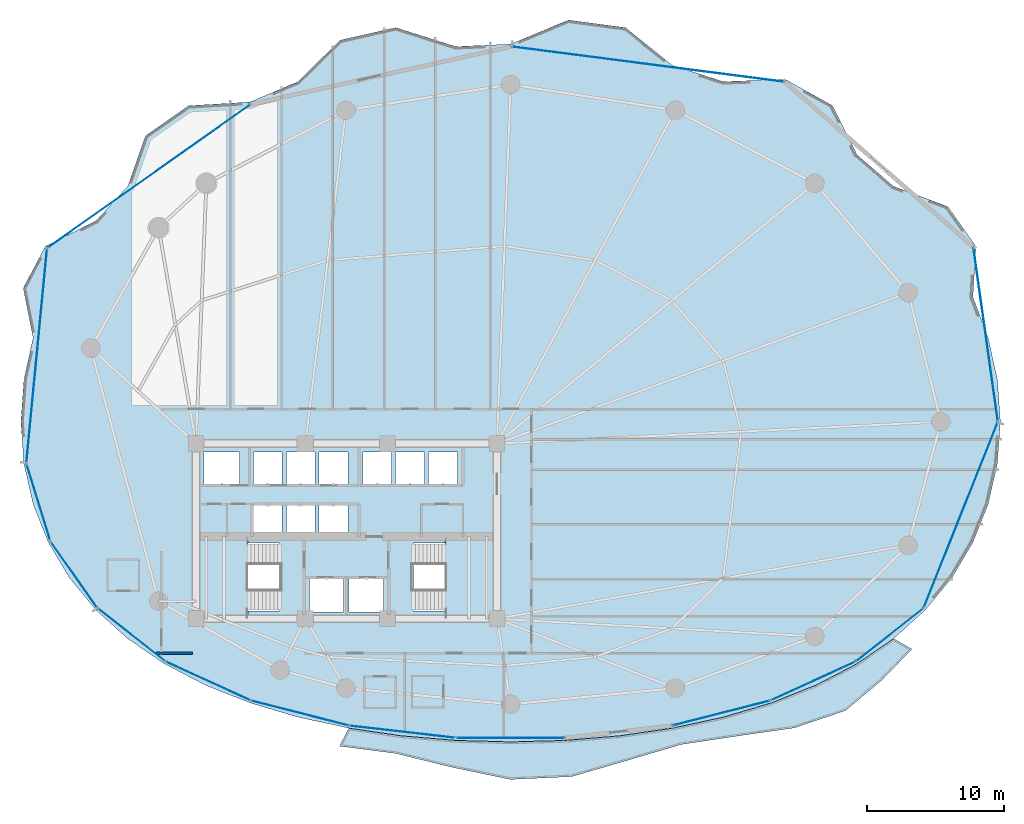
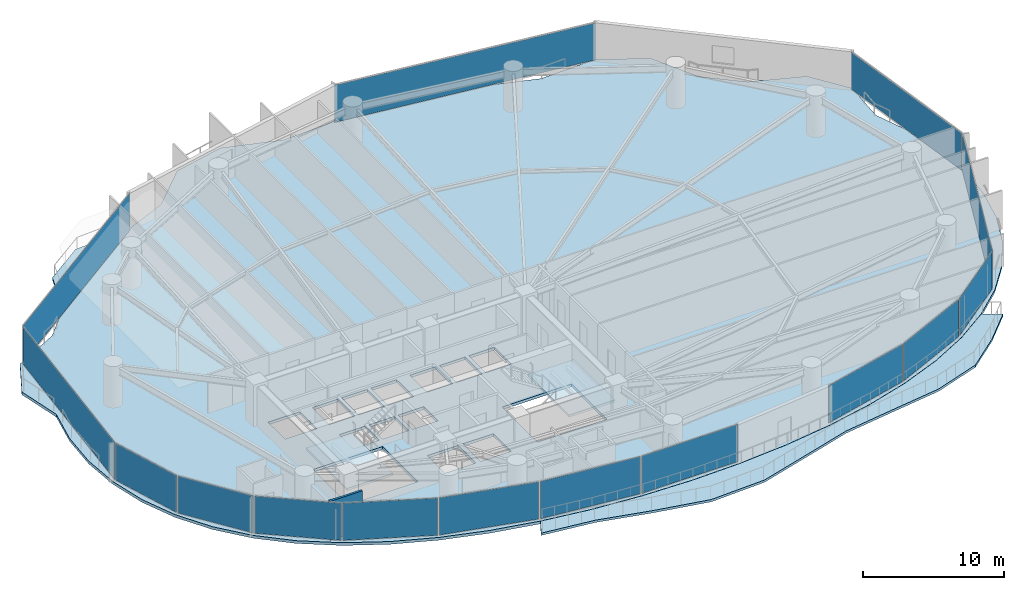
# One storey, part 24 of 32: 15 plates, 4 slabs, 1 wall, 17 elements without a shape of their own.
"""IFC4 building model written with IfcOpenShell, lengths in metres."""

from ifc_helpers import new_model, si_unit, direction, frame, frame_2d, origin, origin_2d, place, context, subcontext, project, spatial, polyline, rectangle, outline, extrude, material, layer, layer_set, type_object, element, aggregate, save


model = new_model("IFC4")

# Units and contexts
model_context = context("Model", 3, precision=1e-05, world=origin(), true_north=direction((0.0, 1.0)))
body_context = subcontext(model_context, "Body", "Model", "MODEL_VIEW")
ifc_project = project(units=[si_unit("LENGTHUNIT", "METRE"), si_unit("AREAUNIT", "SQUARE_METRE"), si_unit("VOLUMEUNIT", "CUBIC_METRE"), si_unit("PLANEANGLEUNIT", "RADIAN"), si_unit("MASSUNIT", "GRAM", prefix="KILO")], contexts=[model_context])

# Site, building, storey
site_placement = place(None, origin())
site = spatial("IfcSite", under=ifc_project, at=site_placement, CompositionType="ELEMENT")
building_placement = place(site_placement, origin())
building = spatial("IfcBuilding", under=site, at=building_placement, Name="Kazevale Care Tower and Concert Hall", CompositionType="ELEMENT")
storey_placement = place(building_placement, frame((0.0, 0.0, 34.800048828125)))
storey = spatial("IfcBuildingStorey", under=building, at=storey_placement, Name="L08", CompositionType="ELEMENT", Elevation=34.800048828125)

# Curtain wall, plate
ifc_material_1 = material(Name="Aluminium 6063-T6 and Low-E Glass", Category="aluminium")
ifc_layer_1 = layer(ifc_material_1, 0.179931640625)
ifc_layer_set_1 = layer_set([ifc_layer_1], Name="Aluminium 6063-T6 and Low-E Glass")
curtain_wall_type_1 = type_object("IfcCurtainWallType", Name="Convex Recessed Sunroom Curtain Wall CW-3", PredefinedType="NOTDEFINED", material=ifc_layer_set_1)
curtain_wall_1_placement = place(storey_placement, origin())
curtain_wall_1 = element("IfcCurtainWall", 1, at=curtain_wall_1_placement, inside=storey, type_object=curtain_wall_type_1, Name="cw:L08:f14", PredefinedType="NOTDEFINED")
ifc_material_2 = material(Name="Low-E Laminated Glass", Category="glass")
ifc_layer_2 = layer(ifc_material_2, 0.028076171875)
ifc_layer_set_2 = layer_set([ifc_layer_2], Name="Low-E Laminated Glass")
plate_type_1 = type_object("IfcPlateType", Name="CW-3 Low-E Glazing Panel 28mm", PredefinedType="CURTAIN_PANEL", material=ifc_layer_set_2)
plate_1_placement = place(storey_placement, frame((18.55810546875, 55.93896484375, 0.074951171875), z_axis=(0.0, 0.0, 1.0), x_axis=(0.816794332821, 0.57692895392, 0.0)))
plate_1 = element("IfcPlate", 2, at=plate_1_placement, type_object=plate_type_1, Name="CW-3 panel 1.1", PredefinedType="CURTAIN_PANEL", context=body_context, shape_type="SweptSolid", body=[
    extrude(rectangle(XDim=18.060302734375, YDim=0.028076171875, at=origin_2d()), origin(), (0.0, 0.0, 1.0), 3.2099609375),
])
aggregate(curtain_wall_1, [plate_1])

curtain_wall_2_placement = place(storey_placement, origin())
curtain_wall_2 = element("IfcCurtainWall", 3, at=curtain_wall_2_placement, inside=storey, type_object=curtain_wall_type_1, Name="cw:L08:f16", PredefinedType="NOTDEFINED")
plate_2_placement = place(storey_placement, frame((55.0400390625, 64.130615234375, 0.074951171875), z_axis=(0.0, 0.0, 1.0), x_axis=(0.991763039368, -0.128086196538, 0.0)))
plate_2 = element("IfcPlate", 4, at=plate_2_placement, type_object=plate_type_1, Name="CW-3 panel 1.1", PredefinedType="CURTAIN_PANEL", context=body_context, shape_type="SweptSolid", body=[
    extrude(rectangle(XDim=20.01611328125, YDim=0.028076171875, at=origin_2d()), origin(), (0.0, 0.0, 1.0), 3.2099609375),
])
aggregate(curtain_wall_2, [plate_2])

ifc_layer_3 = layer(ifc_material_1, 0.179931640625)
ifc_layer_set_3 = layer_set([ifc_layer_3], Name="Aluminium 6063-T6 and Low-E Glass")
curtain_wall_type_2 = type_object("IfcCurtainWallType", Name="Waist & Upper Residential Curtain Wall CW-4", PredefinedType="NOTDEFINED", material=ifc_layer_set_3)
curtain_wall_3_placement = place(storey_placement, origin())
curtain_wall_3 = element("IfcCurtainWall", 5, at=curtain_wall_3_placement, inside=storey, type_object=curtain_wall_type_2, Name="cw:L08:f01", PredefinedType="NOTDEFINED")
ifc_layer_4 = layer(ifc_material_2, 0.030029296875)
ifc_layer_set_4 = layer_set([ifc_layer_4], Name="Low-E Laminated Glass")
plate_type_2 = type_object("IfcPlateType", Name="CW-4 Low-E Glazing Panel 30mm", PredefinedType="CURTAIN_PANEL", material=ifc_layer_set_4)
plate_3_placement = place(storey_placement, frame((77.90087890625, 31.181884765625, 0.080078125), z_axis=(0.0, 0.0, 1.0), x_axis=(-0.370427424456, -0.928861412274, 0.0)))
plate_3 = element("IfcPlate", 6, at=plate_3_placement, type_object=plate_type_2, Name="CW-4 panel 1.1", PredefinedType="CURTAIN_PANEL", context=body_context, shape_type="SweptSolid", body=[
    extrude(rectangle(XDim=14.520263671875, YDim=0.030029296875, at=origin_2d()), origin(), (0.0, 0.0, 1.0), 3.199951171875),
])
aggregate(curtain_wall_3, [plate_3])

curtain_wall_4_placement = place(storey_placement, origin())
curtain_wall_4 = element("IfcCurtainWall", 7, at=curtain_wall_4_placement, inside=storey, type_object=curtain_wall_type_2, Name="cw:L08:f11", PredefinedType="NOTDEFINED")
plate_4_placement = place(storey_placement, frame((13.094482421875, 26.81103515625, 0.080078125), z_axis=(0.0, 0.0, 1.0), x_axis=(-0.575836813322, 0.817564654583, 0.0)))
plate_4 = element("IfcPlate", 8, at=plate_4_placement, type_object=plate_type_2, Name="CW-4 panel 1.1", PredefinedType="CURTAIN_PANEL", context=body_context, shape_type="SweptSolid", body=[
    extrude(rectangle(XDim=5.826171875, YDim=0.030029296875, at=origin_2d()), origin(), (0.0, 0.0, 1.0), 3.199951171875),
])
aggregate(curtain_wall_4, [plate_4])

curtain_wall_5_placement = place(storey_placement, origin())
curtain_wall_5 = element("IfcCurtainWall", 9, at=curtain_wall_5_placement, inside=storey, type_object=curtain_wall_type_2, Name="cw:L08:f12", PredefinedType="NOTDEFINED")
plate_5_placement = place(storey_placement, frame((10.487548828125, 32.10791015625, 0.080078125), z_axis=(0.0, 0.0, 1.0), x_axis=(-0.296098771112, 0.955157326175, 0.0)))
plate_5 = element("IfcPlate", 10, at=plate_5_placement, type_object=plate_type_2, Name="CW-4 panel 1.1", PredefinedType="CURTAIN_PANEL", context=body_context, shape_type="SweptSolid", body=[
    extrude(rectangle(XDim=5.8076171875, YDim=0.030029296875, at=origin_2d()), origin(), (0.0, 0.0, 1.0), 3.199951171875),
])
aggregate(curtain_wall_5, [plate_5])

curtain_wall_6_placement = place(storey_placement, origin())
curtain_wall_6 = element("IfcCurtainWall", 11, at=curtain_wall_6_placement, inside=storey, type_object=curtain_wall_type_2, Name="cw:L08:f13", PredefinedType="NOTDEFINED")
plate_6_placement = place(storey_placement, frame((10.362548828125, 42.822021484375, 0.080078125), z_axis=(0.0, 0.0, 1.0), x_axis=(0.096006644923, 0.995380693067, 0.0)))
plate_6 = element("IfcPlate", 12, at=plate_6_placement, type_object=plate_type_2, Name="CW-4 panel 1.1", PredefinedType="CURTAIN_PANEL", context=body_context, shape_type="SweptSolid", body=[
    extrude(rectangle(XDim=15.640869140625, YDim=0.030029296875, at=origin_2d()), origin(), (0.0, 0.0, 1.0), 3.199951171875),
])
aggregate(curtain_wall_6, [plate_6])

curtain_wall_7_placement = place(storey_placement, origin())
curtain_wall_7 = element("IfcCurtainWall", 13, at=curtain_wall_7_placement, inside=storey, type_object=curtain_wall_type_2, Name="cw:L08:f18", PredefinedType="NOTDEFINED")
plate_7_placement = place(storey_placement, frame((79.72412109375, 44.384521484375, 0.080078125), z_axis=(0.0, 0.0, 1.0), x_axis=(0.138977953775, -0.990295475282, 0.0)))
plate_7 = element("IfcPlate", 14, at=plate_7_placement, type_object=plate_type_2, Name="CW-4 panel 1.1", PredefinedType="CURTAIN_PANEL", context=body_context, shape_type="SweptSolid", body=[
    extrude(rectangle(XDim=12.734130859375, YDim=0.030029296875, at=origin_2d()), origin(), (0.0, 0.0, 1.0), 3.199951171875),
])
aggregate(curtain_wall_7, [plate_7])

ifc_layer_5 = layer(ifc_material_1, 0.179931640625)
ifc_layer_set_5 = layer_set([ifc_layer_5], Name="Aluminium 6063-T6 and Low-E Glass")
curtain_wall_type_3 = type_object("IfcCurtainWallType", Name="Sheltered Concave Balcony Curtain Wall CW-5", PredefinedType="NOTDEFINED", material=ifc_layer_set_5)
curtain_wall_8_placement = place(storey_placement, origin())
curtain_wall_8 = element("IfcCurtainWall", 15, at=curtain_wall_8_placement, inside=storey, type_object=curtain_wall_type_3, Name="cw:L08:f02", PredefinedType="NOTDEFINED")
ifc_layer_6 = layer(ifc_material_2, 0.02587890625)
ifc_layer_set_6 = layer_set([ifc_layer_6], Name="Low-E Laminated Glass")
plate_type_3 = type_object("IfcPlateType", Name="CW-5 Low-E Glazing Panel 26mm", PredefinedType="CURTAIN_PANEL", material=ifc_layer_set_6)
plate_8_placement = place(storey_placement, frame((72.701904296875, 22.41552734375, 0.074951171875), z_axis=(0.0, 0.0, 1.0), x_axis=(-0.78632934107, -0.617807548814, 0.0)))
plate_8 = element("IfcPlate", 16, at=plate_8_placement, type_object=plate_type_3, Name="CW-5 panel 1.1", PredefinedType="CURTAIN_PANEL", context=body_context, shape_type="SweptSolid", body=[
    extrude(rectangle(XDim=6.15771484375, YDim=0.02587890625, at=origin_2d()), origin(), (0.0, 0.0, 1.0), 3.2099609375),
])
aggregate(curtain_wall_8, [plate_8])

curtain_wall_9_placement = place(storey_placement, origin())
curtain_wall_9 = element("IfcCurtainWall", 17, at=curtain_wall_9_placement, inside=storey, type_object=curtain_wall_type_3, Name="cw:L08:f03", PredefinedType="NOTDEFINED")
plate_9_placement = place(storey_placement, frame((67.10498046875, 19.04248046875, 0.074951171875), z_axis=(0.0, 0.0, 1.0), x_axis=(-0.909520179795, -0.415659767773, 0.0)))
plate_9 = element("IfcPlate", 18, at=plate_9_placement, type_object=plate_type_3, Name="CW-5 panel 1.1", PredefinedType="CURTAIN_PANEL", context=body_context, shape_type="SweptSolid", body=[
    extrude(rectangle(XDim=6.7041015625, YDim=0.02587890625, at=origin_2d()), origin(), (0.0, 0.0, 1.0), 3.2099609375),
])
aggregate(curtain_wall_9, [plate_9])

curtain_wall_10_placement = place(storey_placement, origin())
curtain_wall_10 = element("IfcCurtainWall", 19, at=curtain_wall_10_placement, inside=storey, type_object=curtain_wall_type_3, Name="cw:L08:f04", PredefinedType="NOTDEFINED")
plate_10_placement = place(storey_placement, frame((60.389892578125, 16.699951171875, 0.074951171875), z_axis=(0.0, 0.0, 1.0), x_axis=(-0.968958899798, -0.247221864936, 0.0)))
plate_10 = element("IfcPlate", 20, at=plate_10_placement, type_object=plate_type_3, Name="CW-5 panel 1.1", PredefinedType="CURTAIN_PANEL", context=body_context, shape_type="SweptSolid", body=[
    extrude(rectangle(XDim=7.276611328125, YDim=0.02587890625, at=origin_2d()), origin(), (0.0, 0.0, 1.0), 3.2099609375),
])
aggregate(curtain_wall_10, [plate_10])

curtain_wall_11_placement = place(storey_placement, origin())
curtain_wall_11 = element("IfcCurtainWall", 21, at=curtain_wall_11_placement, inside=storey, type_object=curtain_wall_type_3, Name="cw:L08:f06", PredefinedType="NOTDEFINED")
plate_11_placement = place(storey_placement, frame((45.0, 14.889892578125, 0.074951171875), z_axis=(0.0, 0.0, 1.0), x_axis=(-1.0, 0.0, 0.0)))
plate_11 = element("IfcPlate", 22, at=plate_11_placement, type_object=plate_type_3, Name="CW-5 panel 1.1", PredefinedType="CURTAIN_PANEL", context=body_context, shape_type="SweptSolid", body=[
    extrude(rectangle(XDim=7.845947265625, YDim=0.02587890625, at=origin_2d()), origin(), (0.0, 0.0, 1.0), 3.2099609375),
])
aggregate(curtain_wall_11, [plate_11])

curtain_wall_12_placement = place(storey_placement, origin())
curtain_wall_12 = element("IfcCurtainWall", 23, at=curtain_wall_12_placement, inside=storey, type_object=curtain_wall_type_3, Name="cw:L08:f07", PredefinedType="NOTDEFINED")
plate_12_placement = place(storey_placement, frame((37.10498046875, 15.3359375, 0.074951171875), z_axis=(0.0, 0.0, 1.0), x_axis=(-0.993514581883, 0.113704773808, 0.0)))
plate_12 = element("IfcPlate", 24, at=plate_12_placement, type_object=plate_type_3, Name="CW-5 panel 1.1", PredefinedType="CURTAIN_PANEL", context=body_context, shape_type="SweptSolid", body=[
    extrude(rectangle(XDim=7.69482421875, YDim=0.02587890625, at=origin_2d()), origin(), (0.0, 0.0, 1.0), 3.2099609375),
])
aggregate(curtain_wall_12, [plate_12])

curtain_wall_13_placement = place(storey_placement, origin())
curtain_wall_13 = element("IfcCurtainWall", 25, at=curtain_wall_13_placement, inside=storey, type_object=curtain_wall_type_3, Name="cw:L08:f08", PredefinedType="NOTDEFINED")
plate_13_placement = place(storey_placement, frame((29.610107421875, 16.699951171875, 0.074951171875), z_axis=(0.0, 0.0, 1.0), x_axis=(-0.968958899798, 0.247221864936, 0.0)))
plate_13 = element("IfcPlate", 26, at=plate_13_placement, type_object=plate_type_3, Name="CW-5 panel 1.1", PredefinedType="CURTAIN_PANEL", context=body_context, shape_type="SweptSolid", body=[
    extrude(rectangle(XDim=7.276611328125, YDim=0.02587890625, at=origin_2d()), origin(), (0.0, 0.0, 1.0), 3.2099609375),
])
aggregate(curtain_wall_13, [plate_13])

curtain_wall_14_placement = place(storey_placement, origin())
curtain_wall_14 = element("IfcCurtainWall", 27, at=curtain_wall_14_placement, inside=storey, type_object=curtain_wall_type_3, Name="cw:L08:f09", PredefinedType="NOTDEFINED")
plate_14_placement = place(storey_placement, frame((22.89501953125, 19.04248046875, 0.074951171875), z_axis=(0.0, 0.0, 1.0), x_axis=(-0.909520179795, 0.415659767773, 0.0)))
plate_14 = element("IfcPlate", 28, at=plate_14_placement, type_object=plate_type_3, Name="CW-5 panel 1.1", PredefinedType="CURTAIN_PANEL", context=body_context, shape_type="SweptSolid", body=[
    extrude(rectangle(XDim=6.7041015625, YDim=0.02587890625, at=origin_2d()), origin(), (0.0, 0.0, 1.0), 3.2099609375),
])
aggregate(curtain_wall_14, [plate_14])

curtain_wall_15_placement = place(storey_placement, origin())
curtain_wall_15 = element("IfcCurtainWall", 29, at=curtain_wall_15_placement, inside=storey, type_object=curtain_wall_type_3, Name="cw:L08:f10", PredefinedType="NOTDEFINED")
plate_15_placement = place(storey_placement, frame((17.298095703125, 22.41552734375, 0.074951171875), z_axis=(0.0, 0.0, 1.0), x_axis=(-0.78632934107, 0.617807548814, 0.0)))
plate_15 = element("IfcPlate", 30, at=plate_15_placement, type_object=plate_type_3, Name="CW-5 panel 1.1", PredefinedType="CURTAIN_PANEL", context=body_context, shape_type="SweptSolid", body=[
    extrude(rectangle(XDim=6.15771484375, YDim=0.02587890625, at=origin_2d()), origin(), (0.0, 0.0, 1.0), 3.2099609375),
])
aggregate(curtain_wall_15, [plate_15])

# Slab
ifc_material_3 = material(Name="Concrete C40", Category="concrete")
ifc_layer_7 = layer(ifc_material_3, 0.199951171875)
ifc_layer_set_7 = layer_set([ifc_layer_7], Name="Concrete C40")
slab_type_1 = type_object("IfcSlabType", Name="Sinusoidal Concave Balcony Slab 200", PredefinedType="USERDEFINED", material=ifc_layer_set_7)
slab_1_placement = place(storey_placement, frame((0.0, 0.0, -0.199951171875)))
element("IfcSlab", 31, at=slab_1_placement, inside=storey, type_object=slab_type_1, Name="slab:L08:bal", ObjectType="BALCONY", PredefinedType="USERDEFINED", context=body_context, shape_type="SweptSolid", body=[
    extrude(outline(polyline([(74.33349609375, 21.382080078125), (72.093017578125, 19.069091796875), (69.478759765625, 16.88671875), (65.73828125, 15.62255859375), (61.529296875, 15.017822265625), (57.456787109375, 14.406982421875), (53.5849609375, 13.260986328125), (49.464111328125, 12.0615234375), (45.0, 11.852783203125), (40.655517578125, 12.757568359375), (36.5869140625, 13.755615234375), (32.480712890625, 14.288330078125), (33.173583984375, 15.6005859375), (33.175048828125, 15.600341796875), (37.033203125, 15.038818359375), (40.991455078125, 14.705322265625), (45.0, 14.594970703125), (49.008544921875, 14.705322265625), (52.966796875, 15.038818359375), (56.824951171875, 15.600341796875), (60.5341796875, 16.3984375), (64.04833984375, 17.443115234375), (67.322998046875, 18.743408203125), (70.31689453125, 20.3076171875), (72.99267578125, 22.139404296875), (72.994140625, 22.140625), (74.33349609375, 21.382080078125)])), origin(), (0.0, 0.0, 1.0), 0.199951171875),
])

# Stair, slab
stair_type = type_object("IfcStairType", Name="Exit Stair Assembly ST1-Z1", PredefinedType="HALF_TURN_STAIR", material=ifc_material_3)
stair_1_placement = place(storey_placement, origin())
stair_1 = element("IfcStair", 32, at=stair_1_placement, inside=storey, type_object=stair_type, Name="stair:L08:ST1", PredefinedType="HALF_TURN_STAIR")
ifc_layer_8 = layer(ifc_material_3, 0.199951171875)
ifc_layer_set_8 = layer_set([ifc_layer_8], Name="Concrete C40")
slab_type_2 = type_object("IfcSlabType", Name="Stair Half-Landing Slab ST1-Z1", PredefinedType="LANDING", material=ifc_layer_set_8)
slab_2_placement = place(storey_placement, frame((0.0, 0.0, 1.599853515625)))
slab_2 = element("IfcSlab", 33, at=slab_2_placement, type_object=slab_type_2, Name="ST1-Z1 landing 1", PredefinedType="LANDING", context=body_context, shape_type="SweptSolid", body=[
    extrude(outline(polyline([(22.050048828125, 23.699951171875), (25.81005859375, 23.699951171875), (25.81005859375, 29.5), (22.050048828125, 29.5), (22.050048828125, 23.699951171875)])), origin(), (0.0, 0.0, 1.0), 0.2001953125),
])
aggregate(stair_1, [slab_2])

stair_2_placement = place(storey_placement, origin())
stair_2 = element("IfcStair", 34, at=stair_2_placement, inside=storey, type_object=stair_type, Name="stair:L08:ST2", PredefinedType="HALF_TURN_STAIR")
slab_3_placement = place(storey_placement, frame((0.0, 0.0, 1.599853515625)))
slab_3 = element("IfcSlab", 35, at=slab_3_placement, type_object=slab_type_2, Name="ST1-Z1 landing 1", PredefinedType="LANDING", context=body_context, shape_type="SweptSolid", body=[
    extrude(outline(polyline([(40.18994140625, 23.699951171875), (43.949951171875, 23.699951171875), (43.949951171875, 29.5), (40.18994140625, 29.5), (40.18994140625, 23.699951171875)])), origin(), (0.0, 0.0, 1.0), 0.2001953125),
])
aggregate(stair_2, [slab_3])

# Slab
ifc_layer_9 = layer(ifc_material_3, 0.239990234375)
ifc_layer_set_9 = layer_set([ifc_layer_9], Name="Concrete C40")
slab_type_3 = type_object("IfcSlabType", Name="Tower Typical Floor Slab 240", PredefinedType="FLOOR", material=ifc_layer_set_9)
slab_4_placement = place(storey_placement, frame((0.0, 0.0, -0.239990234375)))
element("IfcSlab", 36, at=slab_4_placement, inside=storey, type_object=slab_type_3, Name="slab:L08:tw:1", PredefinedType="FLOOR", context=body_context, shape_type="SweptSolid", body=[
    extrude(outline(polyline([(80.800048828125, 38.0), (80.574951171875, 41.090087890625), (79.90234375, 44.1416015625), (78.791015625, 47.11572265625), (79.01171875, 50.8212890625), (76.9638671875, 53.721435546875), (72.989501953125, 55.208251953125), (70.314453125, 57.51611328125), (68.53662109375, 61.10302734375), (65.084228515625, 63.020751953125), (60.532958984375, 62.86669921875), (56.823974609375, 64.05126953125), (53.400146484375, 66.80908203125), (49.226806640625, 67.3642578125), (45.0, 65.60009765625), (40.99169921875, 65.426513671875), (36.599853515625, 66.80908203125), (32.531982421875, 65.891845703125), (29.467041015625, 62.86669921875), (25.953369140625, 61.36962890625), (21.46337890625, 61.10302734375), (18.306640625, 58.89501953125), (17.010498046875, 55.208251953125), (14.687255859375, 52.68408203125), (10.98828125, 50.8212890625), (9.368408203125, 47.759765625), (10.09765625, 44.1416015625), (9.425048828125, 41.090087890625), (9.199951171875, 38.0), (9.425048828125, 34.931640625), (10.09765625, 31.972412109375), (11.208984375, 29.178466796875), (12.745361328125, 26.591064453125), (14.687255859375, 24.239501953125), (17.010498046875, 22.143310546875), (19.685546875, 20.31201171875), (22.67919921875, 18.748046875), (25.953369140625, 17.44775390625), (29.467041015625, 16.4033203125), (33.176025390625, 15.605224609375), (37.03369140625, 15.043701171875), (40.99169921875, 14.71044921875), (45.0, 14.60009765625), (49.00830078125, 14.71044921875), (52.96630859375, 15.043701171875), (56.823974609375, 15.605224609375), (60.532958984375, 16.4033203125), (64.046630859375, 17.44775390625), (67.32080078125, 18.748046875), (70.314453125, 20.31201171875), (72.989501953125, 22.143310546875), (75.312744140625, 24.239501953125), (77.254638671875, 26.591064453125), (78.791015625, 29.178466796875), (79.90234375, 31.972412109375), (80.574951171875, 34.931640625), (80.800048828125, 38.0)]), holes=[polyline([(22.449951171875, 24.14990234375), (28.110107421875, 24.14990234375), (28.110107421875, 29.14990234375), (22.449951171875, 29.14990234375), (22.449951171875, 24.14990234375)]), polyline([(37.889892578125, 24.14990234375), (43.550048828125, 24.14990234375), (43.550048828125, 29.14990234375), (37.889892578125, 29.14990234375), (37.889892578125, 24.14990234375)]), polyline([(30.300048828125, 24.10009765625), (32.800048828125, 24.10009765625), (32.800048828125, 26.60009765625), (30.300048828125, 26.60009765625), (30.300048828125, 24.10009765625)]), polyline([(33.199951171875, 24.10009765625), (35.699951171875, 24.10009765625), (35.699951171875, 26.60009765625), (33.199951171875, 26.60009765625), (33.199951171875, 24.10009765625)]), polyline([(22.60009765625, 33.39990234375), (25.199951171875, 33.39990234375), (25.199951171875, 35.800048828125), (22.60009765625, 35.800048828125), (22.60009765625, 33.39990234375)]), polyline([(26.199951171875, 33.39990234375), (28.300048828125, 33.39990234375), (28.300048828125, 35.800048828125), (26.199951171875, 35.800048828125), (26.199951171875, 33.39990234375)]), polyline([(28.60009765625, 33.39990234375), (30.699951171875, 33.39990234375), (30.699951171875, 35.800048828125), (28.60009765625, 35.800048828125), (28.60009765625, 33.39990234375)]), polyline([(31.0, 33.39990234375), (33.10009765625, 33.39990234375), (33.10009765625, 35.800048828125), (31.0, 35.800048828125), (31.0, 33.39990234375)]), polyline([(34.199951171875, 33.39990234375), (36.300048828125, 33.39990234375), (36.300048828125, 35.800048828125), (34.199951171875, 35.800048828125), (34.199951171875, 33.39990234375)]), polyline([(36.60009765625, 33.39990234375), (38.699951171875, 33.39990234375), (38.699951171875, 35.800048828125), (36.60009765625, 35.800048828125), (36.60009765625, 33.39990234375)]), polyline([(39.0, 33.39990234375), (41.10009765625, 33.39990234375), (41.10009765625, 35.800048828125), (39.0, 35.800048828125), (39.0, 33.39990234375)]), polyline([(26.199951171875, 29.949951171875), (28.300048828125, 29.949951171875), (28.300048828125, 31.949951171875), (26.199951171875, 31.949951171875), (26.199951171875, 29.949951171875)]), polyline([(28.60009765625, 29.949951171875), (30.699951171875, 29.949951171875), (30.699951171875, 31.949951171875), (28.60009765625, 31.949951171875), (28.60009765625, 29.949951171875)]), polyline([(31.0, 29.949951171875), (33.10009765625, 29.949951171875), (33.10009765625, 31.949951171875), (31.0, 31.949951171875), (31.0, 29.949951171875)])]), origin(), (0.0, 0.0, 1.0), 0.239990234375),
])

# Wall
ifc_material_4 = material(Name="Concrete C40 and Acoustic Gypsum", Category="concrete")
ifc_layer_10 = layer(ifc_material_4, 0.179931640625)
ifc_layer_set_10 = layer_set([ifc_layer_10], Name="Concrete C40 and Acoustic Gypsum")
wall_type = type_object("IfcWallType", Name="Fire-Rated Corridor & Party Wall 180", PredefinedType="PARTITIONING", material=ifc_layer_set_10)
wall_placement = place(storey_placement, frame((21.739990234375, 21.074951171875, 0.0), z_axis=(0.0, 0.0, 1.0), x_axis=(-1.0, 0.0, 0.0)))
element("IfcWall", 37, at=wall_placement, inside=storey, type_object=wall_type, Name="wall:L08:auto_018", PredefinedType="PARTITIONING", context=body_context, shape_type="SweptSolid", body=[
    extrude(rectangle(XDim=2.64501953125, YDim=0.179931640625, at=frame_2d((1.322509765625, 0.0))), origin(), (0.0, 0.0, 1.0), 3.35986328125),
])

save(model, "model.ifc")
